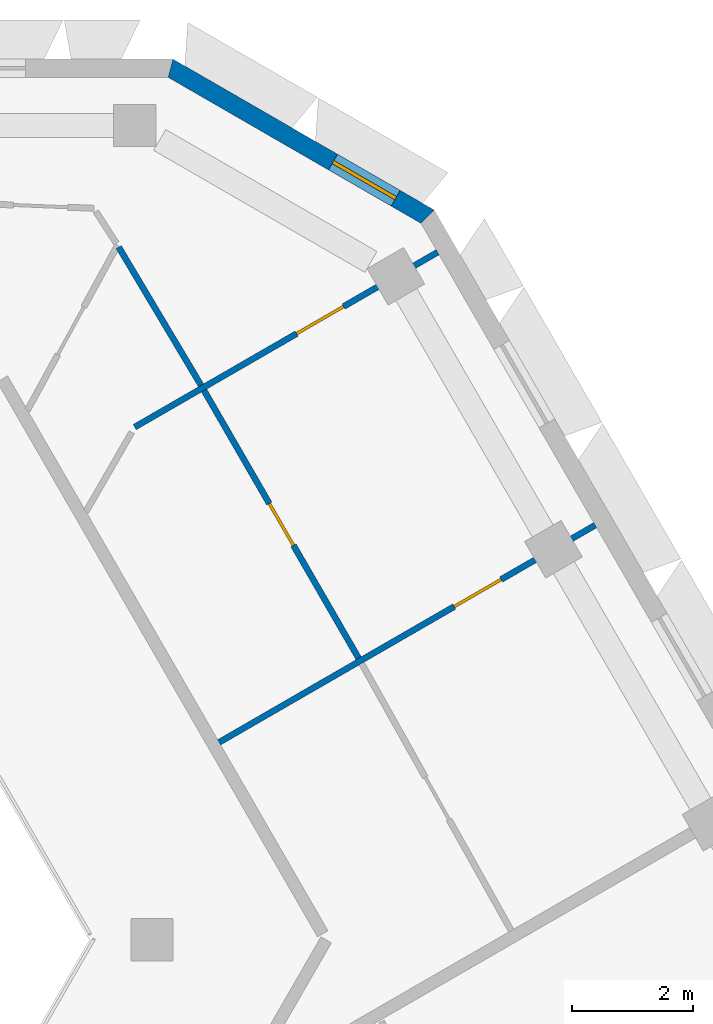
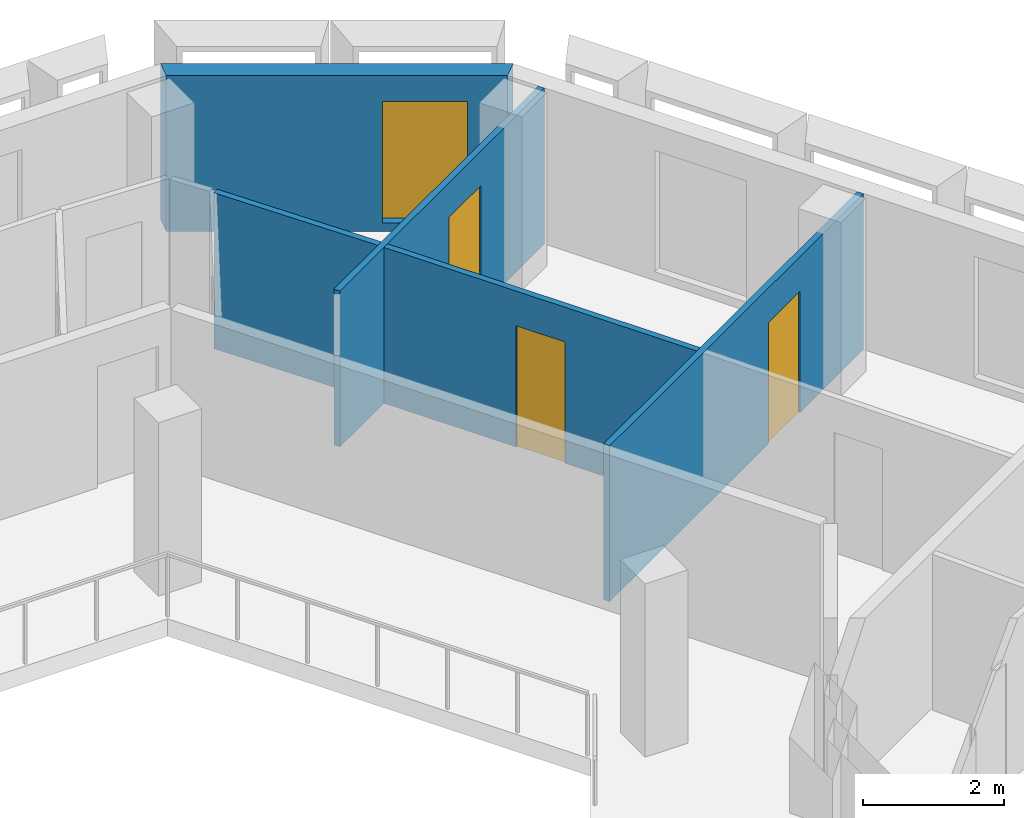
# One storey, part 8 of 15: 5 walls, 3 doors, 1 window, 4 openings.
"""IFC4 building model written with IfcOpenShell, lengths in metres."""

from ifc_helpers import new_model, si_unit, direction, frame, frame_2d, origin, place, context, subcontext, project, spatial, polyline, rectangle, outline, extrude, material, layer, layer_set, type_object, element, fill, save


model = new_model("IFC4")

# Units and contexts
model_context = context("Model", 3, precision=1e-05, world=origin(), true_north=direction((0.0, 1.0)))
body_context = subcontext(model_context, "Body", "Model", "MODEL_VIEW")
ifc_project = project(units=[si_unit("LENGTHUNIT", "METRE"), si_unit("AREAUNIT", "SQUARE_METRE"), si_unit("VOLUMEUNIT", "CUBIC_METRE"), si_unit("PLANEANGLEUNIT", "RADIAN"), si_unit("MASSUNIT", "GRAM", prefix="KILO")], contexts=[model_context])

# Site, building, storey
site_placement = place(None, origin())
site = spatial("IfcSite", under=ifc_project, at=site_placement, CompositionType="ELEMENT")
building_placement = place(site_placement, origin())
building = spatial("IfcBuilding", under=site, at=building_placement, Name="Beryl Residences", CompositionType="ELEMENT")
storey_placement = place(building_placement, frame((0.0, 0.0, 217.800048828125)))
storey = spatial("IfcBuildingStorey", under=building, at=storey_placement, Name="L67", CompositionType="ELEMENT", Elevation=217.800048828125)

# Wall, opening, window
ifc_material_1 = material(Name="Composite metal panel with mineral wool insulation")
ifc_layer_1 = layer(ifc_material_1, 0.300048828125)
ifc_layer_set_1 = layer_set([ifc_layer_1], Name="ES1 pale metal composite panel wall 300 mm")
wall_type_1 = type_object("IfcWallType", Name="ES1 pale metal composite panel wall 300 mm", PredefinedType="SOLIDWALL", material=ifc_layer_set_1)
wall_1_placement = place(storey_placement, frame((12.569091796875, 19.969970703125, 0.0), z_axis=(0.0, 0.0, 1.0), x_axis=(-0.866022959057, 0.500004234368, 0.0)))
wall_1 = element("IfcWall", 1, at=wall_1_placement, inside=storey, type_object=wall_type_1, Name="ES1 external wall L67 NE-N", PredefinedType="SOLIDWALL", context=body_context, shape_type="SweptSolid", body=[
    extrude(outline(polyline([(0.0, -0.14990234375), (5.0, -0.14990234375), (4.919677734375, 0.14990234375), (0.080322265625, 0.14990234375), (0.0, -0.14990234375)])), origin(), (0.0, 0.0, 1.0), 2.699951171875),
])
opening_1_placement = place(wall_1_placement, frame((0.64990234375, 0.0, 0.14990234375)))
opening_1 = element("IfcOpeningElement", 2, at=opening_1_placement, cuts=wall_1, Name="Opening W2", PredefinedType="OPENING", context=body_context, shape_type="SweptSolid", body=[
    extrude(rectangle(XDim=1.199951171875, YDim=2.10009765625, at=frame_2d((0.60009765625, 1.050048828125))), frame((0.0, 0.159912109375, 0.0), z_axis=(0.0, -1.0, 0.0), x_axis=(1.0, 0.0, 0.0)), (0.0, 0.0, 1.0), 0.320068359375),
])
ifc_material_2 = material(Name="Aluminium and clear glass", Category="aluminium")
window_type = type_object("IfcWindowType", Name="W2 chamfer window 1200 x 2100 mm", PartitioningType="SINGLE_PANEL", PredefinedType="WINDOW", material=ifc_material_2)
window_placement = place(opening_1_placement, origin())
window = element("IfcWindow", 3, at=window_placement, inside=storey, type_object=window_type, Name="W2 window L67 NE-N 1", OverallHeight=2.10009765625, OverallWidth=1.199951171875, PartitioningType="SINGLE_PANEL", PredefinedType="WINDOW", context=body_context, shape_type="SweptSolid", body=[
    extrude(rectangle(XDim=1.199951171875, YDim=2.10009765625, at=frame_2d((0.60009765625, 1.050048828125))), frame((0.0, 0.030029296875, 0.0), z_axis=(0.0, -1.0, 0.0), x_axis=(1.0, 0.0, 0.0)), (0.0, 0.0, 1.0), 0.06005859375),
])
fill(opening_1, window)

# Wall
ifc_material_3 = material(Name="Gypsum board partition on steel studs", Category="steel")
ifc_layer_2 = layer(ifc_material_3, 0.10009765625)
ifc_layer_set_2 = layer_set([ifc_layer_2], Name="PT1 partition 100 mm gypsum board on steel studs")
wall_type_2 = type_object("IfcWallType", Name="PT1 partition 100 mm gypsum board on steel studs", PredefinedType="PARTITIONING", material=ifc_layer_set_2)
wall_2_placement = place(storey_placement, frame((7.4140625, 19.48388671875, 0.0), z_axis=(0.0, 0.0, 1.0), x_axis=(0.511881371655, -0.859056145634, 0.0)))
element("IfcWall", 4, at=wall_2_placement, inside=storey, type_object=wall_type_2, Name="Wall PT1 L67 004", PredefinedType="PARTITIONING", context=body_context, shape_type="SweptSolid", body=[
    extrude(rectangle(XDim=2.66650390625, YDim=0.10009765625, at=frame_2d((1.333251953125, 0.0))), origin(), (0.0, 0.0, 1.0), 2.699951171875),
])

# Wall, opening, door
wall_3_placement = place(storey_placement, frame((8.8291015625, 17.10693359375, 0.0), z_axis=(0.0, 0.0, 1.0), x_axis=(0.500022055211, -0.866012669828, 0.0)))
wall_3 = element("IfcWall", 5, at=wall_3_placement, inside=storey, type_object=wall_type_2, Name="Wall PT1 L67 007", PredefinedType="PARTITIONING", context=body_context, shape_type="SweptSolid", body=[
    extrude(rectangle(XDim=5.125732421875, YDim=0.10009765625, at=frame_2d((2.56298828125, 0.0))), origin(), (0.0, 0.0, 1.0), 2.699951171875),
])
opening_2_placement = place(wall_3_placement, frame((2.1630859375, 0.0, 0.0)))
opening_2 = element("IfcOpeningElement", 6, at=opening_2_placement, cuts=wall_3, Name="Opening D2107", PredefinedType="OPENING", context=body_context, shape_type="SweptSolid", body=[
    extrude(rectangle(XDim=0.800048828125, YDim=2.10009765625, at=frame_2d((0.39990234375, 1.050048828125))), frame((0.0, 0.06005859375, 0.0), z_axis=(0.0, -1.0, 0.0), x_axis=(1.0, 0.0, 0.0)), (0.0, 0.0, 1.0), 0.1201171875),
])
ifc_material_4 = material(Name="Timber door leaf", Category="wood")
door_type_1 = type_object("IfcDoorType", Name="D3 bathroom door 800 x 2100 mm", OperationType="SINGLE_SWING_LEFT", PredefinedType="DOOR", material=ifc_material_4)
door_1_placement = place(opening_2_placement, origin())
door_1 = element("IfcDoor", 7, at=door_1_placement, inside=storey, type_object=door_type_1, Name="Door D2107 L67 001", OperationType="SINGLE_SWING_LEFT", OverallHeight=2.10009765625, OverallWidth=0.800048828125, PredefinedType="DOOR", context=body_context, shape_type="SweptSolid", body=[
    extrude(rectangle(XDim=0.800048828125, YDim=2.10009765625, at=frame_2d((0.39990234375, 1.050048828125))), frame((0.0, 0.02490234375, 0.0), z_axis=(0.0, -1.0, 0.0), x_axis=(1.0, 0.0, 0.0)), (0.0, 0.0, 1.0), 0.050048828125),
])
fill(opening_2, door_1)

wall_4_placement = place(storey_placement, frame((9.0791015625, 11.27490234375, 0.0), z_axis=(0.0, 0.0, 1.0), x_axis=(0.866001485781, 0.500041424909, 0.0)))
wall_4 = element("IfcWall", 8, at=wall_4_placement, inside=storey, type_object=wall_type_2, Name="Wall PT1 L67 048", PredefinedType="PARTITIONING", context=body_context, shape_type="SweptSolid", body=[
    extrude(rectangle(XDim=7.19970703125, YDim=0.10009765625, at=frame_2d((3.599853515625, 0.0))), origin(), (0.0, 0.0, 1.0), 2.699951171875),
])
opening_3_placement = place(wall_4_placement, frame((4.5, 0.0, 0.0)))
opening_3 = element("IfcOpeningElement", 9, at=opening_3_placement, cuts=wall_4, Name="Opening D2106", PredefinedType="OPENING", context=body_context, shape_type="SweptSolid", body=[
    extrude(rectangle(XDim=0.89990234375, YDim=2.10009765625, at=frame_2d((0.449951171875, 1.050048828125))), frame((0.0, 0.06005859375, 0.0), z_axis=(0.0, -1.0, 0.0), x_axis=(1.0, 0.0, 0.0)), (0.0, 0.0, 1.0), 0.1201171875),
])
ifc_material_5 = material(Name="Timber door leaf", Category="wood")
door_type_2 = type_object("IfcDoorType", Name="D2 room door 900 x 2100 mm", OperationType="SINGLE_SWING_LEFT", PredefinedType="DOOR", material=ifc_material_5)
door_2_placement = place(opening_3_placement, origin())
door_2 = element("IfcDoor", 10, at=door_2_placement, inside=storey, type_object=door_type_2, Name="Door D2106 L67 001", OperationType="SINGLE_SWING_RIGHT", OverallHeight=2.10009765625, OverallWidth=0.89990234375, PredefinedType="DOOR", context=body_context, shape_type="SweptSolid", body=[
    extrude(rectangle(XDim=0.89990234375, YDim=2.10009765625, at=frame_2d((0.449951171875, 1.050048828125))), frame((0.0, 0.02490234375, 0.0), z_axis=(0.0, -1.0, 0.0), x_axis=(1.0, 0.0, 0.0)), (0.0, 0.0, 1.0), 0.050048828125),
])
fill(opening_3, door_2)

wall_5_placement = place(storey_placement, frame((7.679931640625, 16.5009765625, 0.0), z_axis=(0.0, 0.0, 1.0), x_axis=(0.86602149507, 0.500006770031, 0.0)))
wall_5 = element("IfcWall", 11, at=wall_5_placement, inside=storey, type_object=wall_type_2, Name="Wall PT1 L67 049", PredefinedType="PARTITIONING", context=body_context, shape_type="SweptSolid", body=[
    extrude(rectangle(XDim=5.7978515625, YDim=0.10009765625, at=frame_2d((2.89892578125, 0.0))), origin(), (0.0, 0.0, 1.0), 2.699951171875),
])
opening_4_placement = place(wall_5_placement, frame((3.097900390625, 0.0, 0.0)))
opening_4 = element("IfcOpeningElement", 12, at=opening_4_placement, cuts=wall_5, Name="Opening D2105", PredefinedType="OPENING", context=body_context, shape_type="SweptSolid", body=[
    extrude(rectangle(XDim=0.89990234375, YDim=2.10009765625, at=frame_2d((0.449951171875, 1.050048828125))), frame((0.0, 0.06005859375, 0.0), z_axis=(0.0, -1.0, 0.0), x_axis=(1.0, 0.0, 0.0)), (0.0, 0.0, 1.0), 0.1201171875),
])
door_3_placement = place(opening_4_placement, origin())
door_3 = element("IfcDoor", 13, at=door_3_placement, inside=storey, type_object=door_type_2, Name="Door D2105 L67 001", OperationType="SINGLE_SWING_LEFT", OverallHeight=2.10009765625, OverallWidth=0.89990234375, PredefinedType="DOOR", context=body_context, shape_type="SweptSolid", body=[
    extrude(rectangle(XDim=0.89990234375, YDim=2.10009765625, at=frame_2d((0.449951171875, 1.050048828125))), frame((0.0, 0.02490234375, 0.0), z_axis=(0.0, -1.0, 0.0), x_axis=(1.0, 0.0, 0.0)), (0.0, 0.0, 1.0), 0.050048828125),
])
fill(opening_4, door_3)

save(model, "model.ifc")
